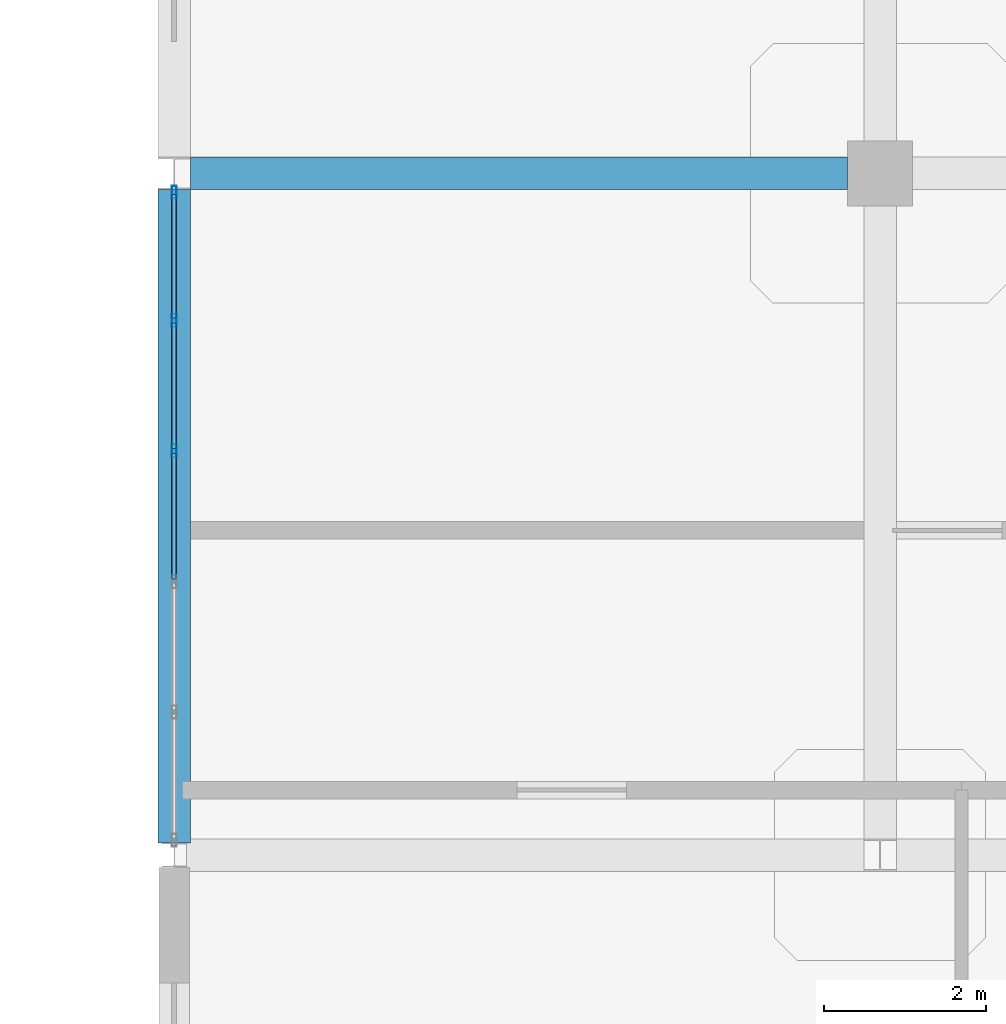
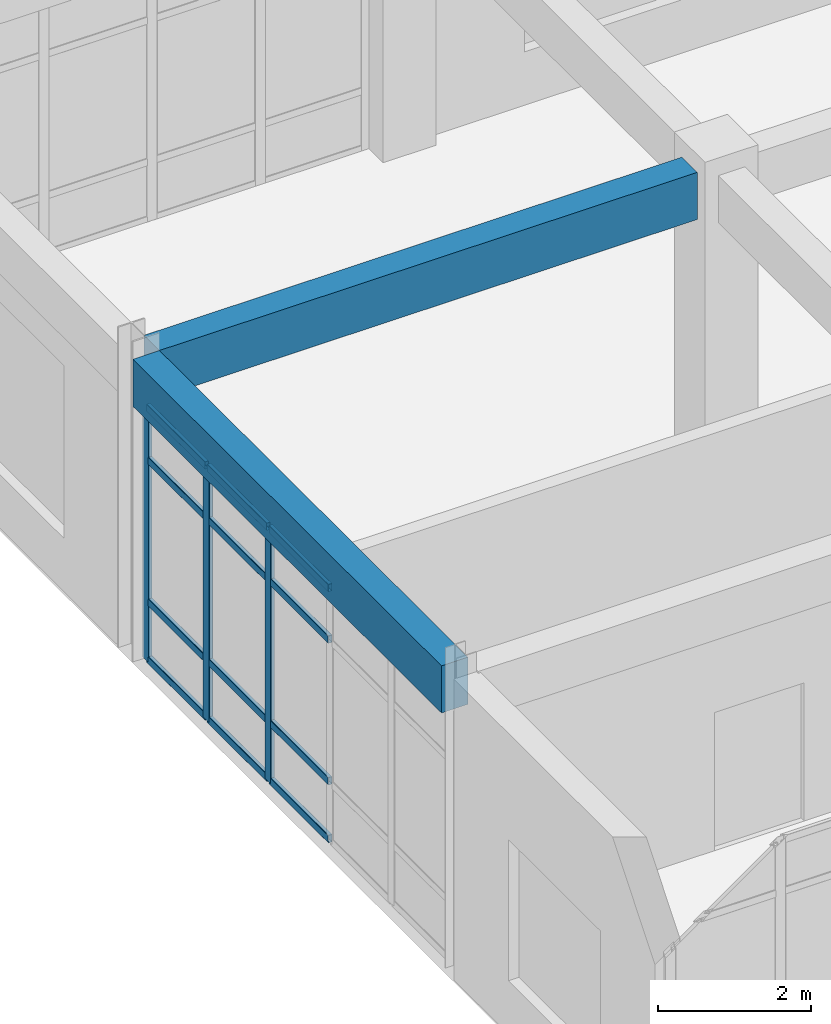
# One storey, part 33 of 96: 15 members, 2 beams, 1 element without a shape of its own.
"""IFC4 building model written with IfcOpenShell, lengths in metres."""

from ifc_helpers import new_model, si_unit, derived_unit, direction, frame, origin, origin_2d, place, context, subcontext, project, spatial, rectangle, hollow_rectangle, extrude, material, layer, layer_set, material_profile, profile_set, type_object, element, aggregate, save


model = new_model("IFC4")

# Units and contexts
model_context = context("Model", 3, precision=1e-05, world=origin(), true_north=direction((0.0, 1.0)))
body_context = subcontext(model_context, "Body", "Model", "MODEL_VIEW")
ifc_project = project(units=[si_unit("LENGTHUNIT", "METRE"), si_unit("AREAUNIT", "SQUARE_METRE"), si_unit("VOLUMEUNIT", "CUBIC_METRE"), si_unit("PLANEANGLEUNIT", "RADIAN"), si_unit("MASSUNIT", "GRAM", prefix="KILO"), derived_unit("THERMALTRANSMITTANCEUNIT", [(si_unit("MASSUNIT", "GRAM", prefix="KILO"), 1), (si_unit("TIMEUNIT", "SECOND"), -3), (si_unit("THERMODYNAMICTEMPERATUREUNIT", "KELVIN"), -1)])], contexts=[model_context])

# Site, building, storey
site_placement = place(None, origin())
site = spatial("IfcSite", under=ifc_project, at=site_placement, CompositionType="ELEMENT")
building_placement = place(site_placement, origin())
building = spatial("IfcBuilding", under=site, at=building_placement, Name="Qinzheling Arcade Emporium", CompositionType="ELEMENT")
storey_placement = place(building_placement, frame((0.0, 0.0, 21.60009765625)))
storey = spatial("IfcBuildingStorey", under=building, at=storey_placement, Name="L05", CompositionType="ELEMENT", Elevation=21.60009765625)

# Curtain wall, members
ifc_material_1 = material(Name="Anodised aluminium and solar-control double glazing", Category="aluminium")
ifc_layer = layer(ifc_material_1, 0.159912109375, Name="Anodised aluminium and solar-control double glazing", Category="aluminium")
ifc_layer_set = layer_set([ifc_layer], Name="Anodised aluminium and solar-control double glazing")
curtain_wall_type = type_object("IfcCurtainWallType", Name="Food Hall Loggia Curtain Wall", PredefinedType="NOTDEFINED", material=ifc_layer_set)
curtain_wall_placement = place(storey_placement, origin())
curtain_wall = element("IfcCurtainWall", 1, at=curtain_wall_placement, inside=storey, type_object=curtain_wall_type, Name="Curtain Wall CW-L05-295", PredefinedType="NOTDEFINED")
ifc_material_2 = material(Name="Anodised aluminium 6063-T6", Category="aluminium")
ifc_material_profile_1 = material_profile(ifc_material_2, hollow_rectangle(XDim=0.06005859375, YDim=0.159912109375, WallThickness=0.00390625, InnerFilletRadius=0.00390625, OuterFilletRadius=0.008056640625, at=origin_2d()), Name="RHS 160x60x4", Category="aluminium")
ifc_profile_set_1 = profile_set([ifc_material_profile_1], Name="Anodised aluminium 6063-T6")
member_type_1 = type_object("IfcMemberType", Name="Curtain Wall Mullion RHS160x60", PredefinedType="MULLION", material=ifc_profile_set_1)
member_1_placement = place(storey_placement, frame((121.800048828125, 13.379638671875, 0.0), z_axis=(0.0, 0.0, 1.0), x_axis=(-1.0, 0.0, 0.0)))
member_1 = element("IfcMember", 2, at=member_1_placement, type_object=member_type_1, Name="CW04 mullion 4", PredefinedType="MULLION", context=body_context, shape_type="SweptSolid", body=[
    extrude(hollow_rectangle(XDim=0.06005859375, YDim=0.159912109375, WallThickness=0.00390625, InnerFilletRadius=0.00390625, OuterFilletRadius=0.008056640625, at=origin_2d()), origin(), (0.0, 0.0, 1.0), 4.054931640625),
])
member_2_placement = place(storey_placement, frame((121.800048828125, 14.98876953125, 0.0), z_axis=(0.0, 0.0, 1.0), x_axis=(-1.0, 0.0, 0.0)))
member_2 = element("IfcMember", 3, at=member_2_placement, type_object=member_type_1, Name="CW04 mullion 5", PredefinedType="MULLION", context=body_context, shape_type="SweptSolid", body=[
    extrude(hollow_rectangle(XDim=0.06005859375, YDim=0.159912109375, WallThickness=0.00390625, InnerFilletRadius=0.00390625, OuterFilletRadius=0.008056640625, at=origin_2d()), origin(), (0.0, 0.0, 1.0), 4.054931640625),
])
member_3_placement = place(storey_placement, frame((121.800048828125, 16.568115234375, 0.0), z_axis=(0.0, 0.0, 1.0), x_axis=(-1.0, 0.0, 0.0)))
member_3 = element("IfcMember", 4, at=member_3_placement, type_object=member_type_1, Name="CW04 mullion 6", PredefinedType="MULLION", context=body_context, shape_type="SweptSolid", body=[
    extrude(hollow_rectangle(XDim=0.06005859375, YDim=0.159912109375, WallThickness=0.00390625, InnerFilletRadius=0.00390625, OuterFilletRadius=0.008056640625, at=origin_2d()), origin(), (0.0, 0.0, 1.0), 4.054931640625),
])
ifc_material_profile_2 = material_profile(ifc_material_2, hollow_rectangle(XDim=0.06005859375, YDim=0.1201171875, WallThickness=0.00390625, InnerFilletRadius=0.00390625, OuterFilletRadius=0.008056640625, at=origin_2d()), Name="RHS 120x60x4", Category="aluminium")
ifc_profile_set_2 = profile_set([ifc_material_profile_2], Name="Anodised aluminium 6063-T6")
member_type_2 = type_object("IfcMemberType", Name="Curtain Wall Transom RHS120x60", PredefinedType="USERDEFINED", material=ifc_profile_set_2)
member_4_placement = place(storey_placement, frame((121.800048828125, 11.80029296875, 0.02978515625), z_axis=(0.0, 1.0, 0.0), x_axis=(-1.0, 0.0, 0.0)))
member_4 = element("IfcMember", 5, at=member_4_placement, type_object=member_type_2, Name="CW04 transom 3.1", ObjectType="TRANSOM", PredefinedType="USERDEFINED", context=body_context, shape_type="SweptSolid", body=[
    extrude(hollow_rectangle(XDim=0.06005859375, YDim=0.1201171875, WallThickness=0.00390625, InnerFilletRadius=0.00390625, OuterFilletRadius=0.008056640625, at=origin_2d()), origin(), (0.0, 0.0, 1.0), 1.54931640625),
])
member_5_placement = place(storey_placement, frame((121.800048828125, 11.80029296875, 0.949951171875), z_axis=(0.0, 1.0, 0.0), x_axis=(-1.0, 0.0, 0.0)))
member_5 = element("IfcMember", 6, at=member_5_placement, type_object=member_type_2, Name="CW04 transom 3.2", ObjectType="TRANSOM", PredefinedType="USERDEFINED", context=body_context, shape_type="SweptSolid", body=[
    extrude(hollow_rectangle(XDim=0.06005859375, YDim=0.1201171875, WallThickness=0.00390625, InnerFilletRadius=0.00390625, OuterFilletRadius=0.008056640625, at=origin_2d()), origin(), (0.0, 0.0, 1.0), 1.54931640625),
])
member_6_placement = place(storey_placement, frame((121.800048828125, 11.80029296875, 3.204833984375), z_axis=(0.0, 1.0, 0.0), x_axis=(-1.0, 0.0, 0.0)))
member_6 = element("IfcMember", 7, at=member_6_placement, type_object=member_type_2, Name="CW04 transom 3.3", ObjectType="TRANSOM", PredefinedType="USERDEFINED", context=body_context, shape_type="SweptSolid", body=[
    extrude(hollow_rectangle(XDim=0.06005859375, YDim=0.1201171875, WallThickness=0.00390625, InnerFilletRadius=0.00390625, OuterFilletRadius=0.008056640625, at=origin_2d()), origin(), (0.0, 0.0, 1.0), 1.54931640625),
])
member_7_placement = place(storey_placement, frame((121.800048828125, 11.80029296875, 4.02490234375), z_axis=(0.0, 1.0, 0.0), x_axis=(-1.0, 0.0, 0.0)))
member_7 = element("IfcMember", 8, at=member_7_placement, type_object=member_type_2, Name="CW04 transom 3.4", ObjectType="TRANSOM", PredefinedType="USERDEFINED", context=body_context, shape_type="SweptSolid", body=[
    extrude(hollow_rectangle(XDim=0.06005859375, YDim=0.1201171875, WallThickness=0.00390625, InnerFilletRadius=0.00390625, OuterFilletRadius=0.008056640625, at=origin_2d()), origin(), (0.0, 0.0, 1.0), 1.54931640625),
])
member_8_placement = place(storey_placement, frame((121.800048828125, 13.40966796875, 0.02978515625), z_axis=(0.0, 1.0, 0.0), x_axis=(-1.0, 0.0, 0.0)))
member_8 = element("IfcMember", 9, at=member_8_placement, type_object=member_type_2, Name="CW04 transom 4.1", ObjectType="TRANSOM", PredefinedType="USERDEFINED", context=body_context, shape_type="SweptSolid", body=[
    extrude(hollow_rectangle(XDim=0.06005859375, YDim=0.1201171875, WallThickness=0.00390625, InnerFilletRadius=0.00390625, OuterFilletRadius=0.008056640625, at=origin_2d()), origin(), (0.0, 0.0, 1.0), 1.549072265625),
])
member_9_placement = place(storey_placement, frame((121.800048828125, 13.40966796875, 0.949951171875), z_axis=(0.0, 1.0, 0.0), x_axis=(-1.0, 0.0, 0.0)))
member_9 = element("IfcMember", 10, at=member_9_placement, type_object=member_type_2, Name="CW04 transom 4.2", ObjectType="TRANSOM", PredefinedType="USERDEFINED", context=body_context, shape_type="SweptSolid", body=[
    extrude(hollow_rectangle(XDim=0.06005859375, YDim=0.1201171875, WallThickness=0.00390625, InnerFilletRadius=0.00390625, OuterFilletRadius=0.008056640625, at=origin_2d()), origin(), (0.0, 0.0, 1.0), 1.549072265625),
])
member_10_placement = place(storey_placement, frame((121.800048828125, 13.40966796875, 3.204833984375), z_axis=(0.0, 1.0, 0.0), x_axis=(-1.0, 0.0, 0.0)))
member_10 = element("IfcMember", 11, at=member_10_placement, type_object=member_type_2, Name="CW04 transom 4.3", ObjectType="TRANSOM", PredefinedType="USERDEFINED", context=body_context, shape_type="SweptSolid", body=[
    extrude(hollow_rectangle(XDim=0.06005859375, YDim=0.1201171875, WallThickness=0.00390625, InnerFilletRadius=0.00390625, OuterFilletRadius=0.008056640625, at=origin_2d()), origin(), (0.0, 0.0, 1.0), 1.549072265625),
])
member_11_placement = place(storey_placement, frame((121.800048828125, 13.40966796875, 4.02490234375), z_axis=(0.0, 1.0, 0.0), x_axis=(-1.0, 0.0, 0.0)))
member_11 = element("IfcMember", 12, at=member_11_placement, type_object=member_type_2, Name="CW04 transom 4.4", ObjectType="TRANSOM", PredefinedType="USERDEFINED", context=body_context, shape_type="SweptSolid", body=[
    extrude(hollow_rectangle(XDim=0.06005859375, YDim=0.1201171875, WallThickness=0.00390625, InnerFilletRadius=0.00390625, OuterFilletRadius=0.008056640625, at=origin_2d()), origin(), (0.0, 0.0, 1.0), 1.549072265625),
])
member_12_placement = place(storey_placement, frame((121.800048828125, 15.018798828125, 0.02978515625), z_axis=(0.0, 1.0, 0.0), x_axis=(-1.0, 0.0, 0.0)))
member_12 = element("IfcMember", 13, at=member_12_placement, type_object=member_type_2, Name="CW04 transom 5.1", ObjectType="TRANSOM", PredefinedType="USERDEFINED", context=body_context, shape_type="SweptSolid", body=[
    extrude(hollow_rectangle(XDim=0.06005859375, YDim=0.1201171875, WallThickness=0.00390625, InnerFilletRadius=0.00390625, OuterFilletRadius=0.008056640625, at=origin_2d()), origin(), (0.0, 0.0, 1.0), 1.519287109375),
])
member_13_placement = place(storey_placement, frame((121.800048828125, 15.018798828125, 0.949951171875), z_axis=(0.0, 1.0, 0.0), x_axis=(-1.0, 0.0, 0.0)))
member_13 = element("IfcMember", 14, at=member_13_placement, type_object=member_type_2, Name="CW04 transom 5.2", ObjectType="TRANSOM", PredefinedType="USERDEFINED", context=body_context, shape_type="SweptSolid", body=[
    extrude(hollow_rectangle(XDim=0.06005859375, YDim=0.1201171875, WallThickness=0.00390625, InnerFilletRadius=0.00390625, OuterFilletRadius=0.008056640625, at=origin_2d()), origin(), (0.0, 0.0, 1.0), 1.519287109375),
])
member_14_placement = place(storey_placement, frame((121.800048828125, 15.018798828125, 3.204833984375), z_axis=(0.0, 1.0, 0.0), x_axis=(-1.0, 0.0, 0.0)))
member_14 = element("IfcMember", 15, at=member_14_placement, type_object=member_type_2, Name="CW04 transom 5.3", ObjectType="TRANSOM", PredefinedType="USERDEFINED", context=body_context, shape_type="SweptSolid", body=[
    extrude(hollow_rectangle(XDim=0.06005859375, YDim=0.1201171875, WallThickness=0.00390625, InnerFilletRadius=0.00390625, OuterFilletRadius=0.008056640625, at=origin_2d()), origin(), (0.0, 0.0, 1.0), 1.519287109375),
])
member_15_placement = place(storey_placement, frame((121.800048828125, 15.018798828125, 4.02490234375), z_axis=(0.0, 1.0, 0.0), x_axis=(-1.0, 0.0, 0.0)))
member_15 = element("IfcMember", 16, at=member_15_placement, type_object=member_type_2, Name="CW04 transom 5.4", ObjectType="TRANSOM", PredefinedType="USERDEFINED", context=body_context, shape_type="SweptSolid", body=[
    extrude(hollow_rectangle(XDim=0.06005859375, YDim=0.1201171875, WallThickness=0.00390625, InnerFilletRadius=0.00390625, OuterFilletRadius=0.008056640625, at=origin_2d()), origin(), (0.0, 0.0, 1.0), 1.519287109375),
])
aggregate(curtain_wall, [member_1, member_2, member_3, member_4, member_5, member_6, member_7, member_8, member_9, member_10, member_11, member_12, member_13, member_14, member_15])

# Beams
ifc_material_3 = material(Name="Concrete C40", Category="concrete")
ifc_material_profile_3 = material_profile(ifc_material_3, rectangle(XDim=0.39990234375, YDim=0.75, at=origin_2d()), Name="RC 400x750", Category="concrete")
ifc_profile_set_3 = profile_set([ifc_material_profile_3], Name="Concrete C40")
beam_type = type_object("IfcBeamType", Name="RC Interior Tie Beam 400x750 C40", PredefinedType="BEAM", material=ifc_profile_set_3)
beam_1_placement = place(storey_placement, frame((122.0, 16.800048828125, 4.44482421875), z_axis=(1.0, 0.0, 0.0), x_axis=(0.0, 1.0, 0.0)))
element("IfcBeam", 17, at=beam_1_placement, inside=storey, type_object=beam_type, Name="Beam BM-L05-X-C-15", PredefinedType="BEAM", context=body_context, shape_type="SweptSolid", body=[
    extrude(rectangle(XDim=0.39990234375, YDim=0.75, at=origin_2d()), origin(), (0.0, 0.0, 1.0), 8.10009765625),
])
beam_2_placement = place(storey_placement, frame((121.800048828125, 8.550048828125, 4.44482421875), z_axis=(0.0, 1.0, 0.0), x_axis=(-1.0, 0.0, 0.0)))
element("IfcBeam", 18, at=beam_2_placement, inside=storey, type_object=beam_type, Name="Beam BM-L05-Y-15-B", PredefinedType="BEAM", context=body_context, shape_type="SweptSolid", body=[
    extrude(rectangle(XDim=0.39990234375, YDim=0.75, at=origin_2d()), origin(), (0.0, 0.0, 1.0), 8.050048828125),
])

save(model, "model.ifc")
